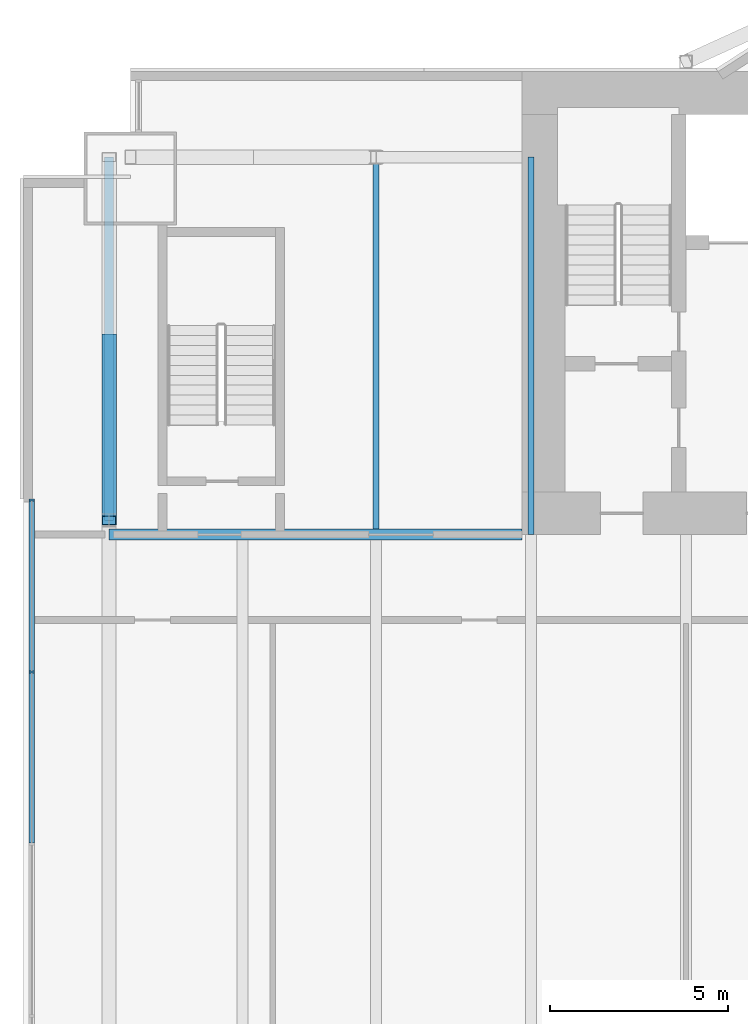
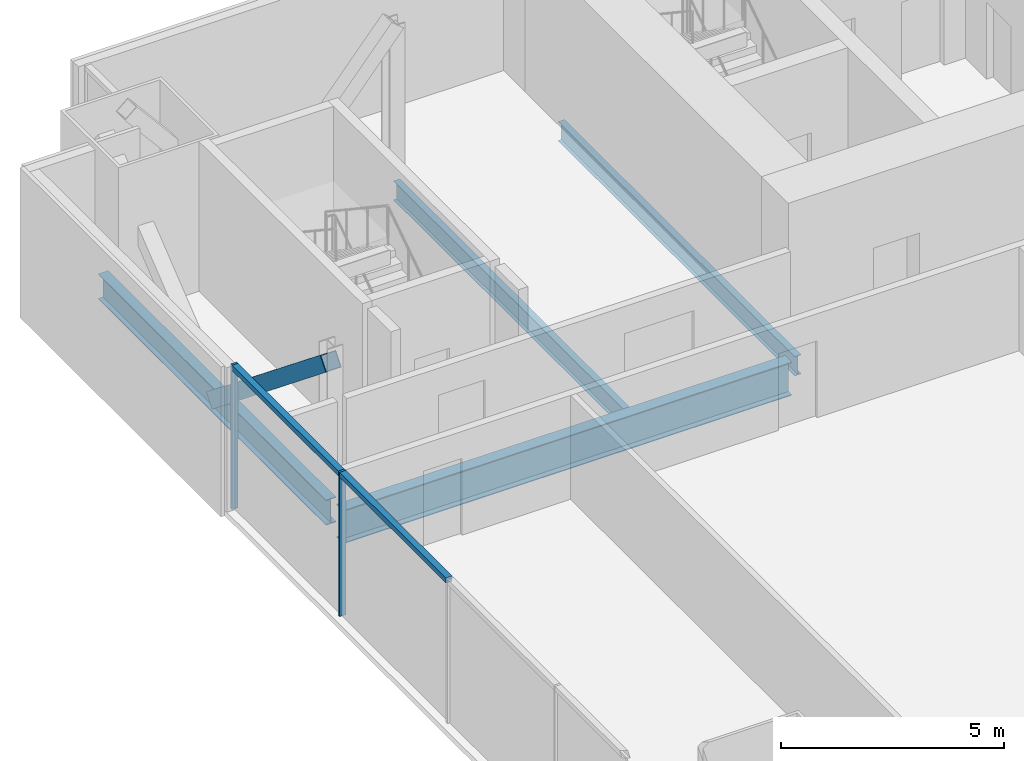
# One storey, part 7 of 21: 5 members, 4 beams, 1 element without a shape of its own.
"""IFC4 building model written with IfcOpenShell, lengths in metres."""

from ifc_helpers import new_model, si_unit, direction, frame, origin, origin_2d, place, context, subcontext, project, spatial, rectangle, hollow_rectangle, i_section, extrude, material, material_profile, profile_set, type_object, element, aggregate, save


model = new_model("IFC4")

# Units and contexts
model_context = context("Model", 3, precision=1e-05, world=origin(), true_north=direction((0.0, 1.0)))
body_context = subcontext(model_context, "Body", "Model", "MODEL_VIEW")
ifc_project = project(units=[si_unit("LENGTHUNIT", "METRE"), si_unit("AREAUNIT", "SQUARE_METRE"), si_unit("VOLUMEUNIT", "CUBIC_METRE"), si_unit("PLANEANGLEUNIT", "RADIAN"), si_unit("MASSUNIT", "GRAM", prefix="KILO")], contexts=[model_context])

# Site, building, storey
site_placement = place(None, origin())
site = spatial("IfcSite", under=ifc_project, at=site_placement, CompositionType="ELEMENT")
building_placement = place(site_placement, origin())
building = spatial("IfcBuilding", under=site, at=building_placement, Name="Bicima Exchange Tower", CompositionType="ELEMENT")
storey_placement = place(building_placement, frame((0.0, 0.0, 165.0)))
storey = spatial("IfcBuildingStorey", under=building, at=storey_placement, Name="L36", CompositionType="ELEMENT", Elevation=165.0)

# Beam
ifc_material_1 = material(Name="Steel ASTM A992 Gr 50", Category="steel")
ifc_material_profile_1 = material_profile(ifc_material_1, i_section(OverallWidth=0.3046875, OverallDepth=0.911865234375, WebThickness=0.015869140625, FlangeThickness=0.02392578125, at=origin_2d()))
ifc_profile_set_1 = profile_set([ifc_material_profile_1], Name="Steel ASTM A992 Gr 50")
beam_type_1 = type_object("IfcBeamType", Name="Core-line girder W36x150", PredefinedType="BEAM", material=ifc_profile_set_1)
beam_1_placement = place(storey_placement, frame((-22.0, -13.0, -0.60595703125), z_axis=(-1.0, 0.0, 0.0), x_axis=(0.0, -1.0, 0.0)))
element("IfcBeam", 1, at=beam_1_placement, inside=storey, type_object=beam_type_1, Name="Core-line girder", PredefinedType="BEAM", context=body_context, shape_type="SweptSolid", body=[
    extrude(i_section(OverallWidth=0.3046875, OverallDepth=0.911865234375, WebThickness=0.015869140625, FlangeThickness=0.02392578125, at=origin_2d()), origin(), (0.0, 0.0, 1.0), 11.60009765625),
])

# Curtain wall, members
ifc_material_2 = material(Name="Anodised bronze aluminium", Category="aluminium")
curtain_wall_type = type_object("IfcCurtainWallType", Name="End face glass wall", PredefinedType="NOTDEFINED", material=ifc_material_2)
curtain_wall_placement = place(storey_placement, origin())
curtain_wall = element("IfcCurtainWall", 2, at=curtain_wall_placement, inside=storey, type_object=curtain_wall_type, Name="End face glass wall L36 run 2", PredefinedType="NOTDEFINED")
ifc_material_profile_2 = material_profile(ifc_material_2, rectangle(XDim=0.159912109375, YDim=0.06005859375, at=origin_2d()))
ifc_profile_set_2 = profile_set([ifc_material_profile_2], Name="Anodised bronze aluminium")
member_type_1 = type_object("IfcMemberType", Name="End face glass wall mullion 60 x 160", PredefinedType="MULLION", material=ifc_profile_set_2)
member_1_placement = place(storey_placement, frame((-35.77001953125, -12.030029296875, 0.0), z_axis=(0.0, 0.0, 1.0), x_axis=(1.0, 0.0, 0.0)))
member_1 = element("IfcMember", 3, at=member_1_placement, type_object=member_type_1, Name="End face glass wall mullion 1", PredefinedType="MULLION", context=body_context, shape_type="SweptSolid", body=[
    extrude(rectangle(XDim=0.159912109375, YDim=0.06005859375, at=origin_2d()), origin(), (0.0, 0.0, 1.0), 3.949951171875),
])
member_2_placement = place(storey_placement, frame((-35.77001953125, -16.857421875, 0.0), z_axis=(0.0, 0.0, 1.0), x_axis=(1.0, 0.0, 0.0)))
member_2 = element("IfcMember", 4, at=member_2_placement, type_object=member_type_1, Name="End face glass wall mullion 2", PredefinedType="MULLION", context=body_context, shape_type="SweptSolid", body=[
    extrude(rectangle(XDim=0.159912109375, YDim=0.06005859375, at=origin_2d()), origin(), (0.0, 0.0, 1.0), 3.949951171875),
])
ifc_material_profile_3 = material_profile(ifc_material_2, rectangle(XDim=0.159912109375, YDim=0.139892578125, at=origin_2d()))
ifc_profile_set_3 = profile_set([ifc_material_profile_3], Name="Anodised bronze aluminium")
member_type_2 = type_object("IfcMemberType", Name="End face glass wall transom 140 x 160", PredefinedType="USERDEFINED", material=ifc_profile_set_3)
member_3_placement = place(storey_placement, frame((-35.77001953125, -12.06005859375, 3.8798828125), z_axis=(0.0, -1.0, 0.0), x_axis=(1.0, 0.0, 0.0)))
member_3 = element("IfcMember", 5, at=member_3_placement, type_object=member_type_2, Name="End face glass wall transom 1.1", ObjectType="TRANSOM", PredefinedType="USERDEFINED", context=body_context, shape_type="SweptSolid", body=[
    extrude(rectangle(XDim=0.159912109375, YDim=0.139892578125, at=origin_2d()), origin(), (0.0, 0.0, 1.0), 4.767333984375),
])
member_4_placement = place(storey_placement, frame((-35.77001953125, -16.887451171875, 3.8798828125), z_axis=(0.0, -1.0, 0.0), x_axis=(1.0, 0.0, 0.0)))
member_4 = element("IfcMember", 6, at=member_4_placement, type_object=member_type_2, Name="End face glass wall transom 2.1", ObjectType="TRANSOM", PredefinedType="USERDEFINED", context=body_context, shape_type="SweptSolid", body=[
    extrude(rectangle(XDim=0.159912109375, YDim=0.139892578125, at=origin_2d()), origin(), (0.0, 0.0, 1.0), 4.767578125),
])
aggregate(curtain_wall, [member_1, member_2, member_3, member_4])

# Beams
ifc_material_profile_4 = material_profile(ifc_material_1, i_section(OverallWidth=0.256591796875, OverallDepth=0.693359375, WebThickness=0.014404296875, FlangeThickness=0.023681640625, at=origin_2d()))
ifc_profile_set_4 = profile_set([ifc_material_profile_4], Name="Steel ASTM A992 Gr 50")
beam_type_2 = type_object("IfcBeamType", Name="End girder W27x114", PredefinedType="BEAM", material=ifc_profile_set_4)
beam_2_placement = place(storey_placement, frame((-33.60009765625, -2.39990234375, -0.49658203125), z_axis=(0.0, -1.0, 0.0), x_axis=(1.0, 0.0, 0.0)))
element("IfcBeam", 7, at=beam_2_placement, inside=storey, type_object=beam_type_2, Name="End girder", PredefinedType="BEAM", context=body_context, shape_type="SweptSolid", body=[
    extrude(i_section(OverallWidth=0.256591796875, OverallDepth=0.693359375, WebThickness=0.014404296875, FlangeThickness=0.023681640625, at=origin_2d()), origin(), (0.0, 0.0, 1.0), 10.2001953125),
])
ifc_material_profile_5 = material_profile(ifc_material_1, i_section(OverallWidth=0.165771484375, OverallDepth=0.5283203125, WebThickness=0.009765625, FlangeThickness=0.013671875, at=origin_2d()))
ifc_profile_set_5 = profile_set([ifc_material_profile_5], Name="Steel ASTM A992 Gr 50")
beam_type_3 = type_object("IfcBeamType", Name="Floor beam W21x50", PredefinedType="JOIST", material=ifc_profile_set_5)
beam_3_placement = place(storey_placement, frame((-26.10009765625, -2.5625, -0.414306640625), z_axis=(0.0, -1.0, 0.0), x_axis=(1.0, 0.0, 0.0)))
element("IfcBeam", 8, at=beam_3_placement, inside=storey, type_object=beam_type_3, Name="Floor beam", PredefinedType="JOIST", context=body_context, shape_type="SweptSolid", body=[
    extrude(i_section(OverallWidth=0.165771484375, OverallDepth=0.5283203125, WebThickness=0.009765625, FlangeThickness=0.013671875, at=origin_2d()), origin(), (0.0, 0.0, 1.0), 10.28515625),
])
beam_4_placement = place(storey_placement, frame((-21.75, -2.39990234375, -0.414306640625), z_axis=(0.0, -1.0, 0.0), x_axis=(1.0, 0.0, 0.0)))
element("IfcBeam", 9, at=beam_4_placement, inside=storey, type_object=beam_type_3, Name="Floor beam", PredefinedType="JOIST", context=body_context, shape_type="SweptSolid", body=[
    extrude(i_section(OverallWidth=0.165771484375, OverallDepth=0.5283203125, WebThickness=0.009765625, FlangeThickness=0.013671875, at=origin_2d()), origin(), (0.0, 0.0, 1.0), 10.60009765625),
])

# Member
ifc_material_3 = material(Name="Steel ASTM A572 Gr 50", Category="steel")
ifc_material_profile_6 = material_profile(ifc_material_3, hollow_rectangle(XDim=0.406494140625, YDim=0.406494140625, WallThickness=0.017822265625, at=origin_2d()))
ifc_profile_set_6 = profile_set([ifc_material_profile_6], Name="Steel ASTM A572 Gr 50")
member_type_3 = type_object("IfcMemberType", Name="Mega brace HSS16x16x3/4", PredefinedType="BRACE", material=ifc_profile_set_6)
member_5_placement = place(storey_placement, frame((-33.60009765625, -7.5, -0.49658203125), z_axis=(0.0, -0.779392460608, 0.626536026376), x_axis=(1.0, 0.0, 0.0)))
element("IfcMember", 10, at=member_5_placement, inside=storey, type_object=member_type_3, Name="Mega brace west end", PredefinedType="BRACE", context=body_context, shape_type="SweptSolid", body=[
    extrude(hollow_rectangle(XDim=0.406494140625, YDim=0.406494140625, WallThickness=0.017822265625, at=origin_2d()), origin(), (0.0, 0.0, 1.0), 6.543701171875),
])

save(model, "model.ifc")
